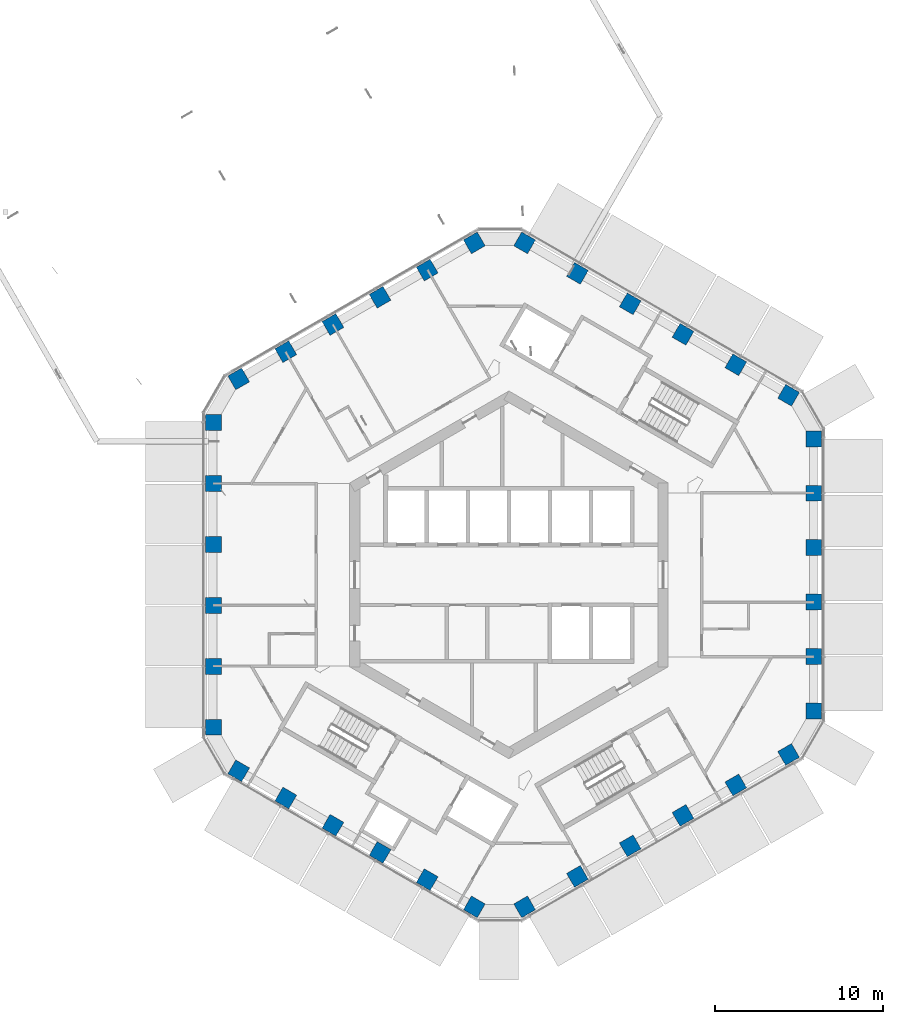
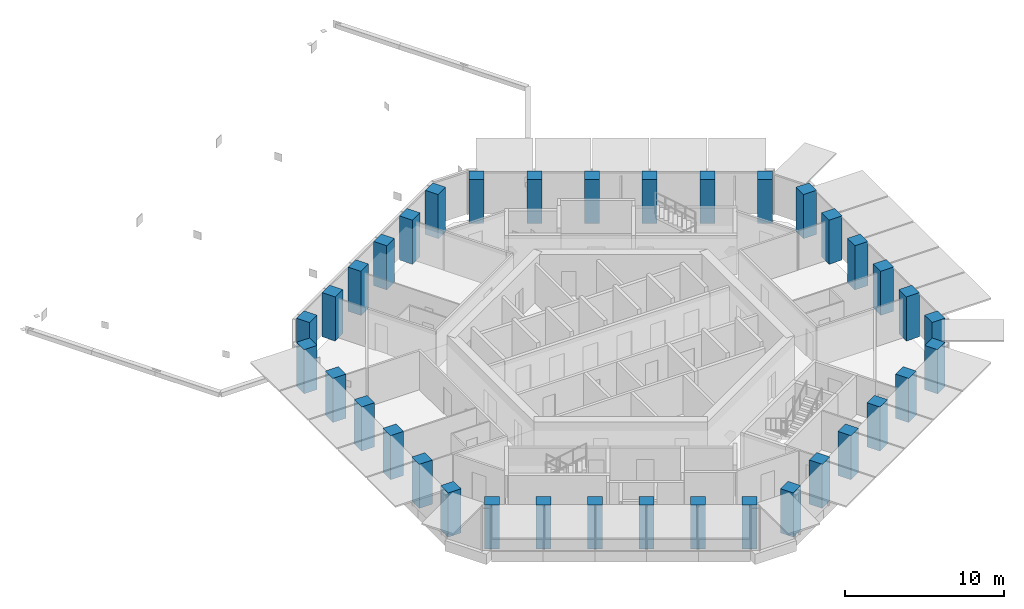
# One storey, part 1 of 21: 36 columns.
"""IFC4 building model written with IfcOpenShell, lengths in metres."""

from ifc_helpers import new_model, si_unit, direction, frame, origin, origin_2d, place, context, subcontext, project, spatial, rectangle, extrude, material, material_profile, profile_set, type_object, element, save


model = new_model("IFC4")

# Units and contexts
model_context = context("Model", 3, precision=1e-05, world=origin(), true_north=direction((0.0, 1.0)))
body_context = subcontext(model_context, "Body", "Model", "MODEL_VIEW")
ifc_project = project(units=[si_unit("LENGTHUNIT", "METRE"), si_unit("AREAUNIT", "SQUARE_METRE"), si_unit("VOLUMEUNIT", "CUBIC_METRE"), si_unit("PLANEANGLEUNIT", "RADIAN"), si_unit("MASSUNIT", "GRAM", prefix="KILO")], contexts=[model_context])

# Site, building, storey
site_placement = place(None, origin())
site = spatial("IfcSite", under=ifc_project, at=site_placement, CompositionType="ELEMENT")
building_placement = place(site_placement, origin())
building = spatial("IfcBuilding", under=site, at=building_placement, Name="Ayvan Gate Tower", CompositionType="ELEMENT")
storey_placement = place(building_placement, frame((0.0, 0.0, 183.300048828125)))
storey = spatial("IfcBuildingStorey", under=building, at=storey_placement, Name="L49", CompositionType="ELEMENT", Elevation=183.300048828125)

# Columns
ifc_material = material(Name="Concrete C55/67", Category="concrete")
ifc_material_profile = material_profile(ifc_material, rectangle(XDim=0.949951171875, YDim=0.949951171875, at=origin_2d()), Name="RC 950x950")
ifc_profile_set = profile_set([ifc_material_profile], Name="Concrete C55/67")
column_type = type_object("IfcColumnType", Name="Tube column RC 950x950 C55/67", PredefinedType="COLUMN", material=ifc_profile_set)
for number, where, z_axis, x_axis, name in (
    (1, (18.1865234375, -8.116943359375, 0.0), (0.0, 0.0, 1.0), (1.0, 0.0, 0.0), "C-T0-0-L49"),
    (2, (18.1865234375, -4.8701171875, 0.0), (0.0, 0.0, 1.0), (1.0, 0.0, 0.0), "C-T0-1-L49"),
    (3, (18.1865234375, -1.623291015625, 0.0), (0.0, 0.0, 1.0), (1.0, 0.0, 0.0), "C-T0-2-L49"),
    (4, (18.1865234375, 1.623291015625, 0.0), (0.0, 0.0, 1.0), (1.0, 0.0, 0.0), "C-T0-3-L49"),
    (5, (18.1865234375, 4.8701171875, 0.0), (0.0, 0.0, 1.0), (1.0, 0.0, 0.0), "C-T0-4-L49"),
    (6, (18.1865234375, 8.116943359375, 0.0), (0.0, 0.0, 1.0), (1.0, 0.0, 0.0), "C-T0-5-L49"),
    (7, (16.6865234375, 10.715087890625, 0.0), (0.0, 0.0, 1.0), (0.5, 0.866025403784, 0.0), "C-T1-0-L49"),
    (8, (13.536376953125, 12.53369140625, 0.0), (0.0, 0.0, 1.0), (0.5, 0.866025403784, 0.0), "C-T1-1-L49"),
    (9, (10.386474609375, 14.352294921875, 0.0), (0.0, 0.0, 1.0), (0.5, 0.866025403784, 0.0), "C-T1-2-L49"),
    (10, (7.236328125, 16.171142578125, 0.0), (0.0, 0.0, 1.0), (0.5, 0.866025403784, 0.0), "C-T1-3-L49"),
    (11, (4.086181640625, 17.98974609375, 0.0), (0.0, 0.0, 1.0), (0.5, 0.866025403784, 0.0), "C-T1-4-L49"),
    (12, (0.936279296875, 19.808349609375, 0.0), (0.0, 0.0, 1.0), (0.5, 0.866025403784, 0.0), "C-T1-5-L49"),
    (13, (-2.063720703125, 19.808349609375, 0.0), (0.0, 0.0, 1.0), (-0.5, 0.866025403784, 0.0), "C-T2-0-L49"),
    (14, (-4.87548828125, 18.18505859375, 0.0), (0.0, 0.0, 1.0), (-0.5, 0.866025403784, 0.0), "C-T2-1-L49"),
    (15, (-7.687255859375, 16.561767578125, 0.0), (0.0, 0.0, 1.0), (-0.5, 0.866025403784, 0.0), "C-T2-2-L49"),
    (16, (-10.499267578125, 14.938232421875, 0.0), (0.0, 0.0, 1.0), (-0.5, 0.866025403784, 0.0), "C-T2-3-L49"),
    (17, (-13.31103515625, 13.31494140625, 0.0), (0.0, 0.0, 1.0), (-0.5, 0.866025403784, 0.0), "C-T2-4-L49"),
    (18, (-16.122802734375, 11.691650390625, 0.0), (0.0, 0.0, 1.0), (-0.5, 0.866025403784, 0.0), "C-T2-5-L49"),
    (19, (-17.622802734375, 9.093505859375, 0.0), (0.0, 0.0, 1.0), (-1.0, 0.0, 0.0), "C-T3-0-L49"),
    (20, (-17.622802734375, 5.4560546875, 0.0), (0.0, 0.0, 1.0), (-1.0, 0.0, 0.0), "C-T3-1-L49"),
    (21, (-17.622802734375, 1.818603515625, 0.0), (0.0, 0.0, 1.0), (-1.0, 0.0, 0.0), "C-T3-2-L49"),
    (22, (-17.622802734375, -1.818603515625, 0.0), (0.0, 0.0, 1.0), (-1.0, 0.0, 0.0), "C-T3-3-L49"),
    (23, (-17.622802734375, -5.4560546875, 0.0), (0.0, 0.0, 1.0), (-1.0, 0.0, 0.0), "C-T3-4-L49"),
    (24, (-17.622802734375, -9.093505859375, 0.0), (0.0, 0.0, 1.0), (-1.0, 0.0, 0.0), "C-T3-5-L49"),
    (25, (-16.122802734375, -11.691650390625, 0.0), (0.0, 0.0, 1.0), (-0.5, -0.866025403784, 0.0), "C-T4-0-L49"),
    (26, (-13.31103515625, -13.31494140625, 0.0), (0.0, 0.0, 1.0), (-0.5, -0.866025403784, 0.0), "C-T4-1-L49"),
    (27, (-10.499267578125, -14.938232421875, 0.0), (0.0, 0.0, 1.0), (-0.5, -0.866025403784, 0.0), "C-T4-2-L49"),
    (28, (-7.687255859375, -16.561767578125, 0.0), (0.0, 0.0, 1.0), (-0.5, -0.866025403784, 0.0), "C-T4-3-L49"),
    (29, (-4.87548828125, -18.18505859375, 0.0), (0.0, 0.0, 1.0), (-0.5, -0.866025403784, 0.0), "C-T4-4-L49"),
    (30, (-2.063720703125, -19.808349609375, 0.0), (0.0, 0.0, 1.0), (-0.5, -0.866025403784, 0.0), "C-T4-5-L49"),
    (31, (0.936279296875, -19.808349609375, 0.0), (0.0, 0.0, 1.0), (0.5, -0.866025403784, 0.0), "C-T5-0-L49"),
    (32, (4.086181640625, -17.98974609375, 0.0), (0.0, 0.0, 1.0), (0.5, -0.866025403784, 0.0), "C-T5-1-L49"),
    (33, (7.236328125, -16.171142578125, 0.0), (0.0, 0.0, 1.0), (0.5, -0.866025403784, 0.0), "C-T5-2-L49"),
    (34, (10.386474609375, -14.352294921875, 0.0), (0.0, 0.0, 1.0), (0.5, -0.866025403784, 0.0), "C-T5-3-L49"),
    (35, (13.536376953125, -12.53369140625, 0.0), (0.0, 0.0, 1.0), (0.5, -0.866025403784, 0.0), "C-T5-4-L49"),
    (36, (16.6865234375, -10.715087890625, 0.0), (0.0, 0.0, 1.0), (0.5, -0.866025403784, 0.0), "C-T5-5-L49"),
):
    element("IfcColumn", number, at=place(storey_placement, frame(where, z_axis=z_axis, x_axis=x_axis)), inside=storey, type_object=column_type, Name=name, PredefinedType="COLUMN", context=body_context, shape_type="SweptSolid", body=[
        extrude(rectangle(XDim=0.949951171875, YDim=0.949951171875, at=origin_2d()), origin(), (0.0, 0.0, 1.0), 3.39990234375),
    ])

save(model, "model.ifc")
